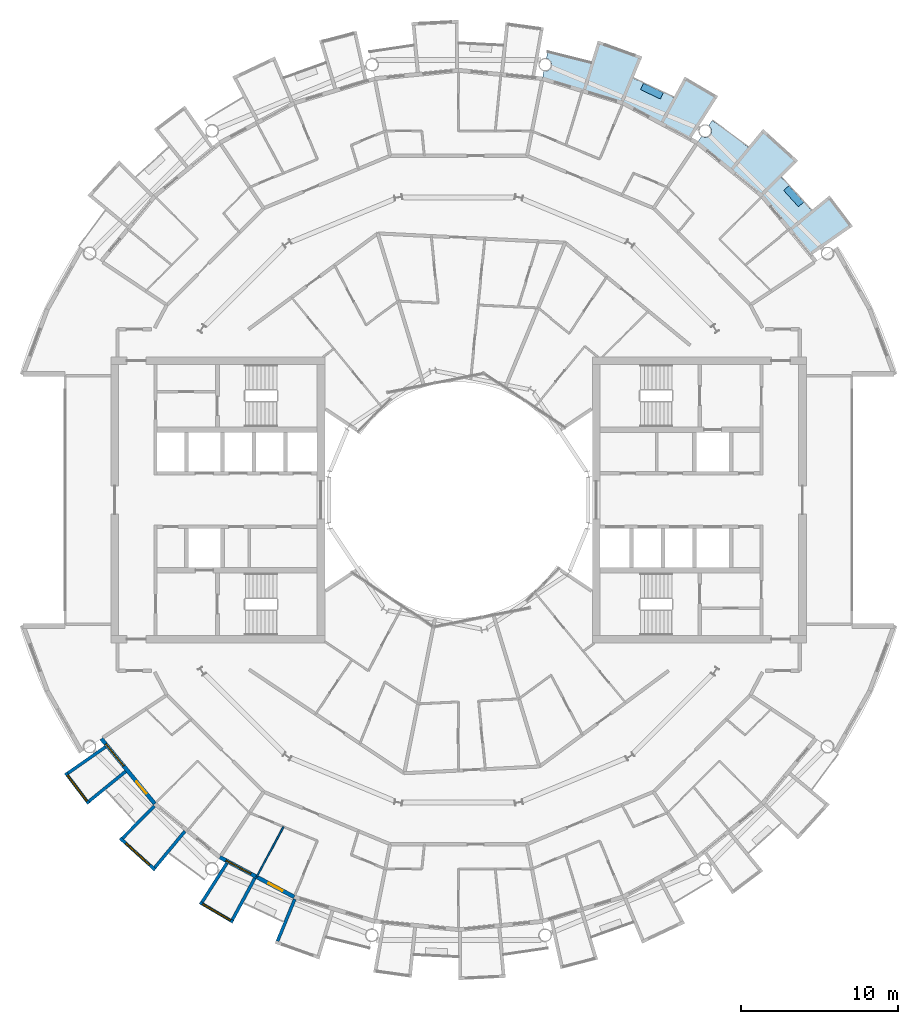
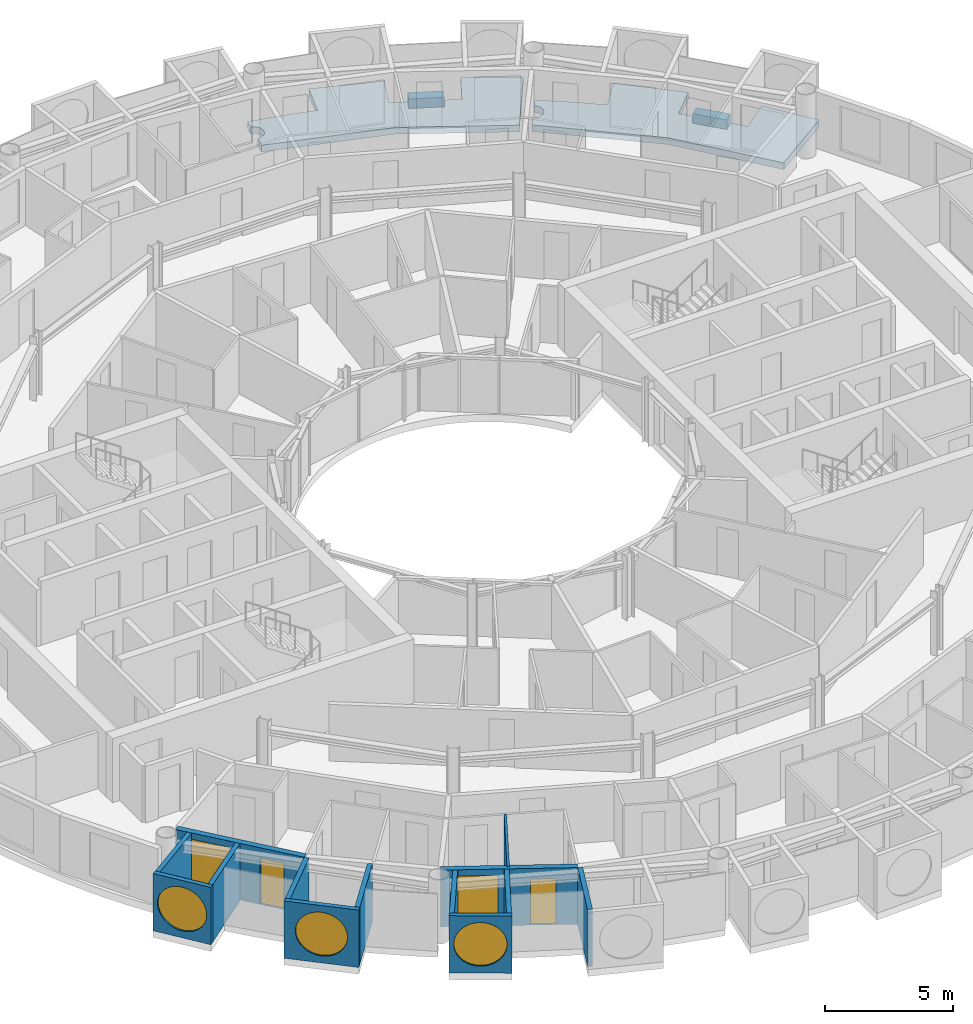
# One storey, part 13 of 27: 13 walls, 5 windows, 4 slabs, 2 doors, 7 openings.
"""IFC4 building model written with IfcOpenShell, lengths in metres."""

import ifcopenshell
import ifcopenshell.guid

model = None  # the IFC model being written
_history = None  # IfcOwnerHistory: only IFC2X3 demands one
_inside = {}  # id of a spatial element -> (the spatial element, [elements in it])
_under = {}  # id of a project, library or spatial element -> (it, [spatial elements below it])
_declared = {}  # id of a project -> (the project, [libraries it declares])
_typed = {}  # id of a type object -> (the type object, [elements of that type])
_made_of = {}  # id of a material, layer set ... -> (it, [elements and type objects made of it])


def new_model(schema):
    """Start an empty IFC model of exactly this schema.

    Asked for "IFC4X3", IfcOpenShell would pick the latest addendum, in which some entities
    have other attributes; the version numbers below select the first issue.
    IFC2X3 requires an IfcOwnerHistory on every rooted entity: one is made here for all.
    """
    global model, _history
    if schema == "IFC4X3":
        model = ifcopenshell.file(schema_version=(4, 3, 0, 0))
    else:
        model = ifcopenshell.file(schema=schema)
    _inside.clear()
    _under.clear()
    _declared.clear()
    _typed.clear()
    _made_of.clear()
    _history = None
    if model.schema == "IFC2X3":
        org = make("IfcOrganization", Name="unknown")
        user = make(
            "IfcPersonAndOrganization",
            ThePerson=make("IfcPerson", FamilyName="unknown"),
            TheOrganization=org,
        )
        app = make(
            "IfcApplication",
            ApplicationDeveloper=org,
            Version="unknown",
            ApplicationFullName="unknown",
            ApplicationIdentifier="unknown",
        )
        _history = make(
            "IfcOwnerHistory",
            OwningUser=user,
            OwningApplication=app,
            ChangeAction="ADDED",
            CreationDate=0,
        )
    return model


def make(cls, **values):
    """One entity of the class cls with the attributes given. An attribute that is None is left unset."""
    return model.create_entity(
        cls, **{name: value for name, value in values.items() if value is not None}
    )


def rooted(cls, **values):
    """An entity with a GlobalId (a new one), such as an element, a storey or a relation."""
    return make(cls, GlobalId=ifcopenshell.guid.new(), OwnerHistory=_history, **values)


def si_unit(unit_type, name, prefix=None):
    """IfcSIUnit, for example si_unit("LENGTHUNIT", "METRE", prefix="MILLI")."""
    return make("IfcSIUnit", UnitType=unit_type, Prefix=prefix, Name=name)


def assignment(units):
    """IfcUnitAssignment: the units of a project."""
    return None if units is None else make("IfcUnitAssignment", Units=units)


def point(xyz):
    """IfcCartesianPoint."""
    return None if xyz is None else make("IfcCartesianPoint", Coordinates=xyz)


def direction(xyz):
    """IfcDirection."""
    return None if xyz is None else make("IfcDirection", DirectionRatios=xyz)


def frame(location, z_axis=None, x_axis=None):
    """IfcAxis2Placement3D, a coordinate frame: its origin and axes. An axis left out is left unset."""
    return make(
        "IfcAxis2Placement3D",
        Location=point(location),
        Axis=direction(z_axis),
        RefDirection=direction(x_axis),
    )


def frame_2d(location, x_axis=None):
    """IfcAxis2Placement2D, a coordinate frame in the plane: its origin and x axis."""
    return make(
        "IfcAxis2Placement2D", Location=point(location), RefDirection=direction(x_axis)
    )


def origin():
    """The frame at (0, 0, 0) with its axes left unset."""
    return frame((0.0, 0.0, 0.0))


def place(relative_to, where):
    """IfcLocalPlacement: puts the frame where relative to a parent placement (None: the world)."""
    return make(
        "IfcLocalPlacement", PlacementRelTo=relative_to, RelativePlacement=where
    )


def context(
    kind, dimensions, precision=None, world=None, true_north=None, identifier=None
):
    """IfcGeometricRepresentationContext, for example the 3D "Model" context."""
    return make(
        "IfcGeometricRepresentationContext",
        ContextIdentifier=identifier,
        ContextType=kind,
        CoordinateSpaceDimension=dimensions,
        Precision=precision,
        WorldCoordinateSystem=world,
        TrueNorth=true_north,
    )


def subcontext(parent, identifier, kind, view, scale=None):
    """IfcGeometricRepresentationSubContext, for example "Body" below "Model"."""
    return make(
        "IfcGeometricRepresentationSubContext",
        ContextIdentifier=identifier,
        ContextType=kind,
        ParentContext=parent,
        TargetScale=scale,
        TargetView=view,
    )


def project(units=None, contexts=None):
    """IfcProject with its units and contexts."""
    return rooted(
        "IfcProject",
        Name="project",
        RepresentationContexts=contexts,
        UnitsInContext=assignment(units),
    )


def spatial(cls, under=None, at=None, **own):
    """A site, building, storey or space (cls), placed at a placement, below another one or the project."""
    s = rooted(cls, ObjectPlacement=at, **own)
    if under is not None:
        _under.setdefault(under.id(), (under, []))[1].append(s)
    return s


def polyline(points):
    """IfcPolyline through the points."""
    return make("IfcPolyline", Points=[point(p) for p in points])


def profile(cls, at=None, kind="AREA", **sizes):
    """A parametric profile (cls). Its sizes go by their IFC names, for example OverallWidth=200.0."""
    return make(cls, ProfileType=kind, Position=at, **sizes)


def rectangle(**sizes):
    """IfcRectangleProfileDef."""
    return profile("IfcRectangleProfileDef", **sizes)


def circle(**sizes):
    """IfcCircleProfileDef."""
    return profile("IfcCircleProfileDef", **sizes)


def outline(outer, holes=None, kind="AREA"):
    """IfcArbitraryClosedProfileDef: a profile drawn as a closed curve; with holes, ...WithVoids."""
    if holes is None:
        return make("IfcArbitraryClosedProfileDef", ProfileType=kind, OuterCurve=outer)
    return make(
        "IfcArbitraryProfileDefWithVoids",
        ProfileType=kind,
        OuterCurve=outer,
        InnerCurves=holes,
    )


def extrude(swept, where, along, depth):
    """IfcExtrudedAreaSolid: the profile swept, set in the frame where, extruded along a direction by depth."""
    return make(
        "IfcExtrudedAreaSolid",
        SweptArea=swept,
        Position=where,
        ExtrudedDirection=direction(along),
        Depth=depth,
    )


def shape(context_of_items, identifier, shape_type, items):
    """IfcShapeRepresentation: the items that make up one representation, for example the "Body"."""
    return make(
        "IfcShapeRepresentation",
        ContextOfItems=context_of_items,
        RepresentationIdentifier=identifier,
        RepresentationType=shape_type,
        Items=items,
    )


def material(Name=None, Category=None):
    """IfcMaterial."""
    return make("IfcMaterial", Name=Name, Category=Category)


def layer(
    of_material, thickness, ventilated=None, Name=None, Category=None, Priority=None
):
    """IfcMaterialLayer: one layer of a wall or slab, of a material (None: an air gap)."""
    return make(
        "IfcMaterialLayer",
        Material=of_material,
        LayerThickness=thickness,
        IsVentilated=ventilated,
        Name=Name,
        Category=Category,
        Priority=Priority,
    )


def layer_set(layers, Name=None):
    """IfcMaterialLayerSet."""
    return make("IfcMaterialLayerSet", MaterialLayers=layers, LayerSetName=Name)


def made_of(thing, what):
    """Note that an element or type object is made of a material, layer set ...; save() writes the relation."""
    if what is not None:
        _made_of.setdefault(what.id(), (what, []))[1].append(thing)
    return thing


def type_object(cls, material=None, **own):
    """A type object (cls), such as IfcWallType, which elements share."""
    return made_of(rooted(cls, **own), material)


def element(
    cls,
    number,
    at=None,
    inside=None,
    cuts=None,
    type_object=None,
    material=None,
    context=None,
    identifier="Body",
    shape_type=None,
    held_by="IfcProductDefinitionShape",
    body=None,
    shapes=None,
    **own,
):
    """One element of the class cls, such as IfcWall. Its Tag is "e" and its number.

    at: its placement. inside: the storey or other place that contains it. cuts: it is an
    opening in that element (IfcRelVoidsElement). A single representation is given by context,
    identifier, shape_type and body (its items); several are given by shapes. held_by: the class
    of the entity that holds the representations. save() writes the other relations.
    """
    e = rooted(cls, Tag="e%d" % number, ObjectPlacement=at, **own)
    if body is not None:
        shapes = [shape(context, identifier, shape_type, body)]
    if shapes is not None:
        e.Representation = make(held_by, Representations=shapes)
    if inside is not None:
        _inside.setdefault(inside.id(), (inside, []))[1].append(e)
    if cuts is not None:
        rooted(
            "IfcRelVoidsElement", RelatingBuildingElement=cuts, RelatedOpeningElement=e
        )
    if type_object is not None:
        _typed.setdefault(type_object.id(), (type_object, []))[1].append(e)
    return made_of(e, material)


def fill(opening, filler):
    """IfcRelFillsElement: the door or window that sits in an opening."""
    return rooted(
        "IfcRelFillsElement",
        RelatingOpeningElement=opening,
        RelatedBuildingElement=filler,
    )


def aggregate(whole, parts):
    """IfcRelAggregates: a whole, such as a stair, and the parts it consists of."""
    return rooted("IfcRelAggregates", RelatingObject=whole, RelatedObjects=parts)


def save(model, path):
    """Write the relations noted so far, then the file.

    IfcRelAggregates (storeys below a building ...), IfcRelContainedInSpatialStructure (elements
    in a storey), IfcRelDefinesByType, IfcRelAssociatesMaterial and IfcRelDeclares: one each for
    every whole, place, type object, material and project.
    """
    for whole, parts in _under.values():
        aggregate(whole, parts)
    for where, things in _inside.values():
        rooted(
            "IfcRelContainedInSpatialStructure",
            RelatedElements=things,
            RelatingStructure=where,
        )
    for kind, things in _typed.values():
        rooted("IfcRelDefinesByType", RelatedObjects=things, RelatingType=kind)
    for what, things in _made_of.values():
        rooted("IfcRelAssociatesMaterial", RelatedObjects=things, RelatingMaterial=what)
    for by, libraries in _declared.values():
        rooted("IfcRelDeclares", RelatingContext=by, RelatedDefinitions=libraries)
    model.write(path)


model = new_model("IFC4")

# Units and contexts
model_context = context("Model", 3, precision=1e-05, world=origin(), true_north=direction((0.0, 1.0)))
body_context = subcontext(model_context, "Body", "Model", "MODEL_VIEW")
ifc_project = project(units=[si_unit("LENGTHUNIT", "METRE"), si_unit("AREAUNIT", "SQUARE_METRE"), si_unit("VOLUMEUNIT", "CUBIC_METRE"), si_unit("PLANEANGLEUNIT", "RADIAN"), si_unit("MASSUNIT", "GRAM", prefix="KILO")], contexts=[model_context])

# Site, building, storey
site_placement = place(None, origin())
site = spatial("IfcSite", under=ifc_project, at=site_placement, CompositionType="ELEMENT")
building_placement = place(site_placement, origin())
building = spatial("IfcBuilding", under=site, at=building_placement, Name="Maasbend Ring Residences", CompositionType="ELEMENT")
storey_placement = place(building_placement, frame((0.0, 0.0, 167.699951171875)))
storey = spatial("IfcBuildingStorey", under=building, at=storey_placement, Name="L48", CompositionType="ELEMENT", Elevation=167.699951171875)

# Slabs
ifc_material_1 = material(Name="Planting with climbing greenery")
ifc_layer_1 = layer(ifc_material_1, 0.449951171875)
ifc_layer_set_1 = layer_set([ifc_layer_1], Name="PLANTER-LG")
slab_type_1 = type_object("IfcSlabType", Name="PLANTER-LG", PredefinedType="USERDEFINED", material=ifc_layer_set_1)
slab_1_placement = place(storey_placement, frame((0.0, 0.0, -0.030029296875)))
element("IfcSlab", 1, at=slab_1_placement, inside=storey, type_object=slab_type_1, Name="Planter with climbing greenery 1", ObjectType="PLANTER", PredefinedType="USERDEFINED", context=body_context, shape_type="SweptSolid", body=[
    extrude(outline(polyline([(21.931884765625, 18.93310546875), (20.991943359375, 19.969970703125), (20.657958984375, 19.66796875), (21.597900390625, 18.631103515625), (21.931884765625, 18.93310546875)])), origin(), (0.0, 0.0, 1.0), 0.4501953125),
])
slab_2_placement = place(storey_placement, frame((0.0, 0.0, -0.030029296875)))
element("IfcSlab", 2, at=slab_2_placement, inside=storey, type_object=slab_type_1, Name="Planter with climbing greenery 2", ObjectType="PLANTER", PredefinedType="USERDEFINED", context=body_context, shape_type="SweptSolid", body=[
    extrude(outline(polyline([(13.01708984375, 25.885009765625), (11.7509765625, 26.48291015625), (11.55908203125, 26.076904296875), (12.824951171875, 25.47802734375), (13.01708984375, 25.885009765625)])), origin(), (0.0, 0.0, 1.0), 0.4501953125),
])
ifc_material_2 = material(Name="Concrete C40/50", Category="concrete")
ifc_layer_2 = layer(ifc_material_2, 0.199951171875)
ifc_layer_set_2 = layer_set([ifc_layer_2], Name="Concrete C40/50")
slab_type_2 = type_object("IfcSlabType", Name="SL-LOGGIA", PredefinedType="FLOOR", material=ifc_layer_set_2)
slab_3_placement = place(storey_placement, frame((0.0, 0.0, -0.349853515625)))
element("IfcSlab", 3, at=slab_3_placement, inside=storey, type_object=slab_type_2, Name="Loggia floor 2", PredefinedType="FLOOR", context=body_context, shape_type="SweptSolid", body=[
    extrude(outline(polyline([(5.451904296875, 27.2548828125), (5.4619140625, 27.25390625), (5.471923828125, 27.2529296875), (5.48193359375, 27.251953125), (5.491943359375, 27.251953125), (5.501953125, 27.251953125), (5.510986328125, 27.251953125), (5.52099609375, 27.251953125), (5.531005859375, 27.2529296875), (5.541015625, 27.25390625), (5.551025390625, 27.2548828125), (5.56103515625, 27.256103515625), (5.571044921875, 27.258056640625), (5.5810546875, 27.259033203125), (5.591064453125, 27.260986328125), (5.60009765625, 27.263916015625), (5.610107421875, 27.26611328125), (5.6201171875, 27.26904296875), (5.62890625, 27.27197265625), (5.637939453125, 27.27490234375), (5.64794921875, 27.279052734375), (5.656982421875, 27.282958984375), (5.666015625, 27.285888671875), (5.675048828125, 27.291015625), (5.68408203125, 27.294921875), (5.693115234375, 27.300048828125), (5.701904296875, 27.303955078125), (5.7099609375, 27.30908203125), (5.718994140625, 27.31494140625), (5.72705078125, 27.320068359375), (5.736083984375, 27.325927734375), (5.743896484375, 27.33203125), (5.751953125, 27.337890625), (5.759033203125, 27.343994140625), (5.76708984375, 27.35009765625), (5.77392578125, 27.35693359375), (5.781982421875, 27.364013671875), (5.7890625, 27.37109375), (5.7958984375, 27.3779296875), (5.802978515625, 27.385009765625), (5.80908203125, 27.39306640625), (5.81591796875, 27.39990234375), (5.822021484375, 27.407958984375), (5.827880859375, 27.416015625), (5.833984375, 27.424072265625), (5.839111328125, 27.431884765625), (5.844970703125, 27.44091796875), (5.85009765625, 27.448974609375), (5.85498046875, 27.4580078125), (5.860107421875, 27.466064453125), (5.864990234375, 27.47509765625), (5.868896484375, 27.48388671875), (5.873046875, 27.492919921875), (5.876953125, 27.5029296875), (5.881103515625, 27.511962890625), (5.884033203125, 27.52099609375), (5.886962890625, 27.531005859375), (5.889892578125, 27.5400390625), (5.89306640625, 27.550048828125), (5.89599609375, 27.55908203125), (5.89794921875, 27.569091796875), (5.89990234375, 27.5791015625), (5.902099609375, 27.589111328125), (5.904052734375, 27.597900390625), (5.905029296875, 27.60791015625), (5.906005859375, 27.617919921875), (5.906982421875, 27.6279296875), (5.907958984375, 27.637939453125), (5.907958984375, 27.64794921875), (5.907958984375, 27.657958984375), (5.907958984375, 27.66796875), (5.907958984375, 27.677978515625), (5.906982421875, 27.68798828125), (5.906005859375, 27.697998046875), (5.905029296875, 27.7080078125), (5.904052734375, 27.718017578125), (5.902099609375, 27.72802734375), (5.89990234375, 27.737060546875), (5.89794921875, 27.7470703125), (5.89599609375, 27.757080078125), (5.89306640625, 27.76708984375), (5.889892578125, 27.77587890625), (5.886962890625, 27.785888671875), (5.884033203125, 27.794921875), (5.881103515625, 27.803955078125), (5.876953125, 27.81396484375), (5.873046875, 27.822998046875), (5.868896484375, 27.83203125), (5.864990234375, 27.841064453125), (5.860107421875, 27.85009765625), (5.85498046875, 27.85791015625), (5.85009765625, 27.866943359375), (5.844970703125, 27.8759765625), (5.839111328125, 27.884033203125), (5.833984375, 27.89208984375), (5.827880859375, 27.89990234375), (5.822021484375, 27.907958984375), (5.81591796875, 27.916015625), (5.80908203125, 27.924072265625), (5.802978515625, 27.930908203125), (5.7958984375, 27.93798828125), (5.7890625, 27.946044921875), (5.781982421875, 27.952880859375), (5.77392578125, 27.958984375), (5.76708984375, 27.966064453125), (5.759033203125, 27.971923828125), (5.751953125, 27.97900390625), (5.743896484375, 27.985107421875), (5.736083984375, 27.989990234375), (5.72705078125, 27.99609375), (5.718994140625, 28.001953125), (5.7099609375, 28.007080078125), (5.701904296875, 28.011962890625), (5.693115234375, 28.01708984375), (5.68408203125, 28.02099609375), (5.675048828125, 28.02587890625), (5.666015625, 28.030029296875), (5.656982421875, 28.033935546875), (5.64794921875, 28.037109375), (5.637939453125, 28.041015625), (5.62890625, 28.0439453125), (5.6201171875, 28.047119140625), (5.610107421875, 28.050048828125), (5.60009765625, 28.052001953125), (5.591064453125, 28.054931640625), (5.5810546875, 28.056884765625), (5.657958984375, 28.443115234375), (5.657958984375, 28.443115234375), (5.657958984375, 28.443115234375), (6.5849609375, 28.241943359375), (6.5849609375, 28.241943359375), (7.506103515625, 28.011962890625), (7.506103515625, 28.011962890625), (8.41796875, 27.7509765625), (8.41796875, 27.7509765625), (8.41796875, 27.7509765625), (8.41796875, 27.7509765625), (8.41796875, 27.7509765625), (8.41796875, 27.7509765625), (8.41796875, 27.7509765625), (8.41796875, 27.7509765625), (8.41796875, 27.7509765625), (8.41796875, 27.7509765625), (8.41796875, 27.751953125), (8.41796875, 27.751953125), (8.41796875, 27.751953125), (8.41796875, 27.751953125), (8.41796875, 27.751953125), (8.41796875, 27.751953125), (8.41796875, 27.751953125), (8.85400390625, 29.18701171875), (8.85400390625, 29.18701171875), (8.85400390625, 29.18701171875), (11.672119140625, 28.177978515625), (11.672119140625, 28.177978515625), (11.672119140625, 28.177978515625), (11.097900390625, 26.79296875), (11.097900390625, 26.79296875), (11.097900390625, 26.79296875), (11.097900390625, 26.79296875), (11.097900390625, 26.79296875), (11.097900390625, 26.79296875), (11.097900390625, 26.79296875), (11.097900390625, 26.79296875), (11.097900390625, 26.79296875), (11.097900390625, 26.79296875), (11.097900390625, 26.7919921875), (11.097900390625, 26.7919921875), (11.097900390625, 26.7919921875), (11.097900390625, 26.7919921875), (11.097900390625, 26.7919921875), (11.097900390625, 26.7919921875), (11.097900390625, 26.7919921875), (11.968994140625, 26.4150390625), (11.968994140625, 26.4150390625), (12.825927734375, 26.009033203125), (12.825927734375, 26.009033203125), (13.669921875, 25.575927734375), (13.669921875, 25.575927734375), (13.669921875, 25.575927734375), (13.669921875, 25.575927734375), (13.669921875, 25.575927734375), (13.669921875, 25.575927734375), (13.669921875, 25.575927734375), (13.669921875, 25.575927734375), (13.669921875, 25.575927734375), (13.669921875, 25.575927734375), (13.6708984375, 25.575927734375), (13.6708984375, 25.575927734375), (13.6708984375, 25.575927734375), (13.6708984375, 25.575927734375), (13.6708984375, 25.575927734375), (13.6708984375, 25.575927734375), (13.6708984375, 25.575927734375), (14.3779296875, 26.89892578125), (14.3779296875, 26.89892578125), (14.3779296875, 26.89892578125), (16.487060546875, 25.659912109375), (16.487060546875, 25.659912109375), (16.487060546875, 25.659912109375), (14.73291015625, 22.930908203125), (14.73291015625, 22.930908203125), (14.73291015625, 22.930908203125), (12.806884765625, 23.9609375), (10.447021484375, 25.221923828125), (10.447021484375, 25.221923828125), (10.447021484375, 25.221923828125), (7.886962890625, 25.9990234375), (5.325927734375, 26.77490234375), (5.325927734375, 26.77490234375), (5.325927734375, 26.77490234375), (5.422119140625, 27.259033203125), (5.431884765625, 27.258056640625), (5.44189453125, 27.256103515625), (5.451904296875, 27.2548828125)])), origin(), (0.0, 0.0, 1.0), 0.31982421875),
])
slab_4_placement = place(storey_placement, frame((0.0, 0.0, -0.349853515625)))
element("IfcSlab", 4, at=slab_4_placement, inside=storey, type_object=slab_type_2, Name="Loggia floor 5", PredefinedType="FLOOR", context=body_context, shape_type="SweptSolid", body=[
    extrude(outline(polyline([(15.4580078125, 23.09912109375), (15.467041015625, 23.093994140625), (15.47509765625, 23.089111328125), (15.48388671875, 23.083984375), (15.492919921875, 23.080078125), (15.501953125, 23.075927734375), (15.511962890625, 23.072021484375), (15.52099609375, 23.068115234375), (15.530029296875, 23.06494140625), (15.5400390625, 23.06103515625), (15.549072265625, 23.05810546875), (15.55908203125, 23.055908203125), (15.568115234375, 23.052978515625), (15.577880859375, 23.051025390625), (15.587890625, 23.049072265625), (15.597900390625, 23.047119140625), (15.60693359375, 23.044921875), (15.616943359375, 23.0439453125), (15.626953125, 23.04296875), (15.636962890625, 23.0419921875), (15.64697265625, 23.041015625), (15.656982421875, 23.041015625), (15.6669921875, 23.041015625), (15.677001953125, 23.041015625), (15.68701171875, 23.041015625), (15.697021484375, 23.0419921875), (15.70703125, 23.04296875), (15.717041015625, 23.0439453125), (15.72705078125, 23.044921875), (15.737060546875, 23.047119140625), (15.74609375, 23.049072265625), (15.756103515625, 23.051025390625), (15.76611328125, 23.052978515625), (15.77587890625, 23.055908203125), (15.784912109375, 23.05810546875), (15.794921875, 23.06103515625), (15.803955078125, 23.06494140625), (15.81298828125, 23.068115234375), (15.822998046875, 23.072021484375), (15.83203125, 23.075927734375), (15.841064453125, 23.080078125), (15.85009765625, 23.083984375), (15.85888671875, 23.089111328125), (15.866943359375, 23.093994140625), (15.8759765625, 23.09912109375), (15.885009765625, 23.10400390625), (15.89306640625, 23.10888671875), (15.90087890625, 23.114990234375), (15.908935546875, 23.12109375), (15.9169921875, 23.126953125), (15.925048828125, 23.133056640625), (15.93310546875, 23.139892578125), (15.93994140625, 23.14599609375), (15.947021484375, 23.153076171875), (15.955078125, 23.159912109375), (15.9619140625, 23.1669921875), (15.968017578125, 23.174072265625), (15.97509765625, 23.181884765625), (15.98095703125, 23.18994140625), (15.988037109375, 23.197021484375), (15.993896484375, 23.205078125), (15.9990234375, 23.212890625), (16.0048828125, 23.221923828125), (16.010986328125, 23.22998046875), (16.01611328125, 23.238037109375), (16.02099609375, 23.2470703125), (16.02587890625, 23.256103515625), (16.030029296875, 23.264892578125), (16.034912109375, 23.27392578125), (16.0390625, 23.282958984375), (16.04296875, 23.2919921875), (16.0458984375, 23.301025390625), (16.050048828125, 23.31005859375), (16.052978515625, 23.320068359375), (16.055908203125, 23.3291015625), (16.05908203125, 23.339111328125), (16.06103515625, 23.34912109375), (16.06396484375, 23.35791015625), (16.06591796875, 23.367919921875), (16.068115234375, 23.3779296875), (16.069091796875, 23.387939453125), (16.071044921875, 23.39794921875), (16.072021484375, 23.407958984375), (16.072021484375, 23.4169921875), (16.072998046875, 23.427001953125), (16.072998046875, 23.43701171875), (16.073974609375, 23.447021484375), (16.072998046875, 23.45703125), (16.072998046875, 23.467041015625), (16.072021484375, 23.47705078125), (16.072021484375, 23.487060546875), (16.071044921875, 23.4970703125), (16.069091796875, 23.507080078125), (16.068115234375, 23.51708984375), (16.06591796875, 23.527099609375), (16.06396484375, 23.535888671875), (16.06103515625, 23.5458984375), (16.05908203125, 23.555908203125), (16.055908203125, 23.56494140625), (16.052978515625, 23.574951171875), (16.050048828125, 23.583984375), (16.0458984375, 23.593994140625), (16.04296875, 23.60302734375), (16.0390625, 23.612060546875), (16.034912109375, 23.62109375), (16.030029296875, 23.6298828125), (16.02587890625, 23.638916015625), (16.02099609375, 23.64794921875), (16.01611328125, 23.656005859375), (16.010986328125, 23.6650390625), (16.0048828125, 23.673095703125), (15.9990234375, 23.680908203125), (15.993896484375, 23.68994140625), (15.988037109375, 23.697021484375), (15.98095703125, 23.705078125), (15.97509765625, 23.712890625), (15.968017578125, 23.719970703125), (15.9619140625, 23.72802734375), (15.955078125, 23.735107421875), (15.947021484375, 23.741943359375), (15.93994140625, 23.7490234375), (15.93310546875, 23.7548828125), (15.925048828125, 23.761962890625), (15.9169921875, 23.76806640625), (15.908935546875, 23.77392578125), (15.90087890625, 23.780029296875), (15.89306640625, 23.784912109375), (15.89306640625, 23.784912109375), (16.112060546875, 24.113037109375), (16.112060546875, 24.113037109375), (16.112060546875, 24.113037109375), (16.89208984375, 23.572998046875), (16.89208984375, 23.572998046875), (17.654052734375, 23.007080078125), (17.654052734375, 23.007080078125), (18.39697265625, 22.41796875), (18.39697265625, 22.41796875), (18.39697265625, 22.41796875), (18.39697265625, 22.41796875), (18.39697265625, 22.41796875), (18.39697265625, 22.41796875), (18.39697265625, 22.41796875), (18.39697265625, 22.41796875), (18.39697265625, 22.41796875), (18.39697265625, 22.41796875), (18.39697265625, 22.41796875), (18.39794921875, 22.41796875), (18.39794921875, 22.41796875), (18.39794921875, 22.41796875), (18.39794921875, 22.41796875), (18.39794921875, 22.41796875), (18.39794921875, 22.41796875), (19.34912109375, 23.576904296875), (19.34912109375, 23.576904296875), (19.34912109375, 23.576904296875), (21.56689453125, 21.56689453125), (21.56689453125, 21.56689453125), (21.56689453125, 21.56689453125), (20.506103515625, 20.506103515625), (20.506103515625, 20.506103515625), (20.506103515625, 20.506103515625), (20.506103515625, 20.506103515625), (20.506103515625, 20.506103515625), (20.506103515625, 20.506103515625), (20.506103515625, 20.506103515625), (20.506103515625, 20.506103515625), (20.506103515625, 20.506103515625), (20.506103515625, 20.506103515625), (20.506103515625, 20.506103515625), (20.506103515625, 20.506103515625), (20.506103515625, 20.506103515625), (20.506103515625, 20.506103515625), (20.506103515625, 20.506103515625), (20.506103515625, 20.506103515625), (20.506103515625, 20.506103515625), (21.166015625, 19.823974609375), (21.166015625, 19.823974609375), (21.802978515625, 19.12109375), (21.802978515625, 19.12109375), (22.4169921875, 18.39794921875), (22.4169921875, 18.39794921875), (22.4169921875, 18.39794921875), (22.4169921875, 18.39794921875), (22.4169921875, 18.39794921875), (22.4169921875, 18.39794921875), (22.4169921875, 18.39794921875), (22.4169921875, 18.39794921875), (22.4169921875, 18.39794921875), (22.4169921875, 18.39794921875), (22.4169921875, 18.39794921875), (22.4169921875, 18.39794921875), (22.41796875, 18.39794921875), (22.41796875, 18.39794921875), (22.41796875, 18.39794921875), (22.41796875, 18.39794921875), (22.41796875, 18.39794921875), (23.576904296875, 19.34912109375), (23.576904296875, 19.34912109375), (23.576904296875, 19.34912109375), (25.051025390625, 17.39794921875), (25.051025390625, 17.39794921875), (25.051025390625, 17.39794921875), (22.386962890625, 15.547119140625), (22.386962890625, 15.547119140625), (22.386962890625, 15.547119140625), (21.001953125, 17.236083984375), (19.303955078125, 19.303955078125), (19.303955078125, 19.303955078125), (19.303955078125, 19.303955078125), (17.236083984375, 21.001953125), (15.1669921875, 22.698974609375), (15.1669921875, 22.698974609375), (15.1669921875, 22.698974609375), (15.44091796875, 23.10888671875), (15.44091796875, 23.10888671875), (15.449951171875, 23.10400390625), (15.4580078125, 23.09912109375)])), origin(), (0.0, 0.0, 1.0), 0.31982421875),
])

# Wall, opening, window
ifc_material_3 = material(Name="Pale anodised aluminium panel", Category="aluminium")
ifc_layer_3 = layer(ifc_material_3, 0.199951171875)
ifc_layer_set_3 = layer_set([ifc_layer_3], Name="EW-BOX")
wall_type_1 = type_object("IfcWallType", Name="EW-BOX", PredefinedType="SOLIDWALL", material=ifc_layer_set_3)
wall_1_placement = place(storey_placement, frame((-24.971923828125, -17.3369140625, -0.030029296875), z_axis=(0.0, 0.0, 1.0), x_axis=(0.602806268067, -0.797887588059, 0.0)))
wall_1 = element("IfcWall", 5, at=wall_1_placement, inside=storey, type_object=wall_type_1, Name="Box front S01", PredefinedType="SOLIDWALL", context=body_context, shape_type="SweptSolid", body=[
    extrude(rectangle(XDim=2.446533203125, YDim=0.199951171875, at=frame_2d((1.22314453125, 0.0))), origin(), (0.0, 0.0, 1.0), 2.72998046875),
])
opening_1_placement = place(wall_1_placement, frame((0.182861328125, 0.0, 0.330078125)))
opening_1 = element("IfcOpeningElement", 6, at=opening_1_placement, cuts=wall_1, Name="Opening W-RD", PredefinedType="OPENING", context=body_context, shape_type="SweptSolid", body=[
    extrude(circle(Radius=1.0400390625, at=frame_2d((1.0400390625, 1.0400390625))), frame((0.0, 0.10986328125, 0.0), z_axis=(0.0, -1.0, 0.0), x_axis=(1.0, 0.0, 0.0)), (0.0, 0.0, 1.0), 0.219970703125),
])
ifc_material_4 = material(Name="Aluminium and clear glass", Category="aluminium")
window_type_1 = type_object("IfcWindowType", Name="W-RD", PartitioningType="SINGLE_PANEL", PredefinedType="WINDOW", material=ifc_material_4)
window_1_placement = place(opening_1_placement, origin())
window_1 = element("IfcWindow", 7, at=window_1_placement, inside=storey, type_object=window_type_1, Name="Round window S01", OverallHeight=2.080078125, OverallWidth=2.080078125, PartitioningType="SINGLE_PANEL", PredefinedType="WINDOW", context=body_context, shape_type="SweptSolid", body=[
    extrude(circle(Radius=1.0400390625, at=frame_2d((1.0400390625, 1.0400390625))), frame((0.0, 0.030029296875, 0.0), z_axis=(0.0, -1.0, 0.0), x_axis=(1.0, 0.0, 0.0)), (0.0, 0.0, 1.0), 0.06005859375),
])
fill(opening_1, window_1)

# Walls
wall_2_placement = place(storey_placement, frame((-22.43310546875, -15.68798828125, -0.030029296875), z_axis=(0.0, 0.0, 1.0), x_axis=(-0.819373043115, -0.573260687834, 0.0)))
element("IfcWall", 8, at=wall_2_placement, inside=storey, type_object=wall_type_1, Name="Box side wall S01 left", PredefinedType="SOLIDWALL", context=body_context, shape_type="SweptSolid", body=[
    extrude(rectangle(XDim=2.92529296875, YDim=0.199951171875, at=frame_2d((1.462646484375, 0.0))), origin(), (0.0, 0.0, 1.0), 2.72998046875),
])
wall_3_placement = place(storey_placement, frame((-21.155029296875, -17.24609375, -0.030029296875), z_axis=(0.0, 0.0, 1.0), x_axis=(-0.775179004516, -0.631741648902, 0.0)))
element("IfcWall", 9, at=wall_3_placement, inside=storey, type_object=wall_type_1, Name="Box side wall S01 right", PredefinedType="SOLIDWALL", context=body_context, shape_type="SweptSolid", body=[
    extrude(rectangle(XDim=3.005859375, YDim=0.199951171875, at=frame_2d((1.5029296875, 0.0))), origin(), (0.0, 0.0, 1.0), 2.72998046875),
])

# Wall, opening, window
wall_4_placement = place(storey_placement, frame((-21.5, -21.492919921875, -0.030029296875), z_axis=(0.0, 0.0, 1.0), x_axis=(0.740998365753, -0.671506829416, 0.0)))
wall_4 = element("IfcWall", 10, at=wall_4_placement, inside=storey, type_object=wall_type_1, Name="Box front S03", PredefinedType="SOLIDWALL", context=body_context, shape_type="SweptSolid", body=[
    extrude(rectangle(XDim=2.9931640625, YDim=0.199951171875, at=frame_2d((1.49658203125, 0.0))), origin(), (0.0, 0.0, 1.0), 2.72998046875),
])
opening_2_placement = place(wall_4_placement, frame((0.45654296875, 0.0, 0.330078125)))
opening_2 = element("IfcOpeningElement", 11, at=opening_2_placement, cuts=wall_4, Name="Opening W-RD", PredefinedType="OPENING", context=body_context, shape_type="SweptSolid", body=[
    extrude(circle(Radius=1.0400390625, at=frame_2d((1.0400390625, 1.0400390625))), frame((0.0, 0.10986328125, 0.0), z_axis=(0.0, -1.0, 0.0), x_axis=(1.0, 0.0, 0.0)), (0.0, 0.0, 1.0), 0.219970703125),
])
window_2_placement = place(opening_2_placement, origin())
window_2 = element("IfcWindow", 12, at=window_2_placement, inside=storey, type_object=window_type_1, Name="Round window S03", OverallHeight=2.080078125, OverallWidth=2.080078125, PartitioningType="SINGLE_PANEL", PredefinedType="WINDOW", context=body_context, shape_type="SweptSolid", body=[
    extrude(circle(Radius=1.0400390625, at=frame_2d((1.0400390625, 1.0400390625))), frame((0.0, 0.030029296875, 0.0), z_axis=(0.0, -1.0, 0.0), x_axis=(1.0, 0.0, 0.0)), (0.0, 0.0, 1.0), 0.06005859375),
])
fill(opening_2, window_2)

# Walls
wall_5_placement = place(storey_placement, frame((-19.322998046875, -19.449951171875, -0.030029296875), z_axis=(0.0, 0.0, 1.0), x_axis=(-0.704476739375, -0.709727076896, 0.0)))
element("IfcWall", 13, at=wall_5_placement, inside=storey, type_object=wall_type_1, Name="Box side wall S03 left", PredefinedType="SOLIDWALL", context=body_context, shape_type="SweptSolid", body=[
    extrude(rectangle(XDim=2.883056640625, YDim=0.199951171875, at=frame_2d((1.44140625, 0.0))), origin(), (0.0, 0.0, 1.0), 2.72998046875),
])
wall_6_placement = place(storey_placement, frame((-17.384033203125, -21.041015625, -0.030029296875), z_axis=(0.0, 0.0, 1.0), x_axis=(-0.63709551667, -0.770784861449, 0.0)))
element("IfcWall", 14, at=wall_6_placement, inside=storey, type_object=wall_type_1, Name="Box side wall S03 right", PredefinedType="SOLIDWALL", context=body_context, shape_type="SweptSolid", body=[
    extrude(rectangle(XDim=3.005859375, YDim=0.199951171875, at=frame_2d((1.5029296875, 0.0))), origin(), (0.0, 0.0, 1.0), 2.72998046875),
])

# Wall, opening, window
wall_7_placement = place(storey_placement, frame((-16.43603515625, -25.573974609375, -0.030029296875), z_axis=(0.0, 0.0, 1.0), x_axis=(0.862403467503, -0.506221551535, 0.0)))
wall_7 = element("IfcWall", 15, at=wall_7_placement, inside=storey, type_object=wall_type_1, Name="Box front S05", PredefinedType="SOLIDWALL", context=body_context, shape_type="SweptSolid", body=[
    extrude(rectangle(XDim=2.445556640625, YDim=0.199951171875, at=frame_2d((1.22265625, 0.0))), origin(), (0.0, 0.0, 1.0), 2.72998046875),
])
opening_3_placement = place(wall_7_placement, frame((0.182861328125, 0.0, 0.330078125)))
opening_3 = element("IfcOpeningElement", 16, at=opening_3_placement, cuts=wall_7, Name="Opening W-RD", PredefinedType="OPENING", context=body_context, shape_type="SweptSolid", body=[
    extrude(circle(Radius=1.0400390625, at=frame_2d((1.0400390625, 1.0400390625))), frame((0.0, 0.10986328125, 0.0), z_axis=(0.0, -1.0, 0.0), x_axis=(1.0, 0.0, 0.0)), (0.0, 0.0, 1.0), 0.219970703125),
])
window_3_placement = place(opening_3_placement, origin())
window_3 = element("IfcWindow", 17, at=window_3_placement, inside=storey, type_object=window_type_1, Name="Round window S05", OverallHeight=2.080078125, OverallWidth=2.080078125, PartitioningType="SINGLE_PANEL", PredefinedType="WINDOW", context=body_context, shape_type="SweptSolid", body=[
    extrude(circle(Radius=1.0400390625, at=frame_2d((1.0400390625, 1.0400390625))), frame((0.0, 0.030029296875, 0.0), z_axis=(0.0, -1.0, 0.0), x_axis=(1.0, 0.0, 0.0)), (0.0, 0.0, 1.0), 0.06005859375),
])
fill(opening_3, window_3)

# Walls
wall_8_placement = place(storey_placement, frame((-14.721923828125, -23.0791015625, -0.030029296875), z_axis=(0.0, 0.0, 1.0), x_axis=(-0.537572179146, -0.843217737129, 0.0)))
element("IfcWall", 18, at=wall_8_placement, inside=storey, type_object=wall_type_1, Name="Box side wall S05 left", PredefinedType="SOLIDWALL", context=body_context, shape_type="SweptSolid", body=[
    extrude(rectangle(XDim=2.92431640625, YDim=0.199951171875, at=frame_2d((1.462158203125, 0.0))), origin(), (0.0, 0.0, 1.0), 2.72998046875),
])
wall_9_placement = place(storey_placement, frame((-12.945068359375, -24.029052734375, -0.030029296875), z_axis=(0.0, 0.0, 1.0), x_axis=(-0.474424310775, -0.88029629861, 0.0)))
element("IfcWall", 19, at=wall_9_placement, inside=storey, type_object=wall_type_1, Name="Box side wall S05 right", PredefinedType="SOLIDWALL", context=body_context, shape_type="SweptSolid", body=[
    extrude(rectangle(XDim=3.005859375, YDim=0.199951171875, at=frame_2d((1.5029296875, 0.0))), origin(), (0.0, 0.0, 1.0), 2.72998046875),
])
wall_10_placement = place(storey_placement, frame((-10.408935546875, -25.364013671875, -0.030029296875), z_axis=(0.0, 0.0, 1.0), x_axis=(-0.379509886562, -0.925187681501, 0.0)))
element("IfcWall", 20, at=wall_10_placement, inside=storey, type_object=wall_type_1, Name="Box side wall S07 left", PredefinedType="SOLIDWALL", context=body_context, shape_type="SweptSolid", body=[
    extrude(rectangle(XDim=2.882568359375, YDim=0.199951171875, at=frame_2d((1.44140625, 0.0))), origin(), (0.0, 0.0, 1.0), 2.72998046875),
])

# Wall, openings, door, window
ifc_material_5 = material(Name="Aluminium clad insulated panel", Category="aluminium")
ifc_layer_4 = layer(ifc_material_5, 0.25)
ifc_layer_set_4 = layer_set([ifc_layer_4], Name="EW-GL")
wall_type_2 = type_object("IfcWallType", Name="EW-GL", PredefinedType="SOLIDWALL", material=ifc_layer_set_4)
wall_11_placement = place(storey_placement, frame((-22.698974609375, -15.1669921875, 0.0), z_axis=(0.0, 0.0, 1.0), x_axis=(0.634382322723, -0.773019449054, 0.0)))
wall_11 = element("IfcWall", 21, at=wall_11_placement, inside=storey, type_object=wall_type_2, Name="External wall S01", PredefinedType="SOLIDWALL", context=body_context, shape_type="SweptSolid", body=[
    extrude(rectangle(XDim=5.351806640625, YDim=0.25, at=frame_2d((2.67578125, 0.0))), origin(), (0.0, 0.0, 1.0), 2.699951171875),
])
opening_4_placement = place(wall_11_placement, frame((0.441162109375, 0.0, 0.300048828125)))
opening_4 = element("IfcOpeningElement", 22, at=opening_4_placement, cuts=wall_11, Name="Opening W-BX", PredefinedType="OPENING", context=body_context, shape_type="SweptSolid", body=[
    extrude(rectangle(XDim=1.800048828125, YDim=2.10009765625, at=frame_2d((0.89990234375, 1.050048828125))), frame((0.0, 0.135009765625, 0.0), z_axis=(0.0, -1.0, 0.0), x_axis=(1.0, 0.0, 0.0)), (0.0, 0.0, 1.0), 0.27001953125),
])
opening_5_placement = place(wall_11_placement, frame((3.510498046875, 0.0, 0.0)))
opening_5 = element("IfcOpeningElement", 23, at=opening_5_placement, cuts=wall_11, Name="Opening D-LG", PredefinedType="OPENING", context=body_context, shape_type="SweptSolid", body=[
    extrude(rectangle(XDim=1.0, YDim=2.199951171875, at=frame_2d((0.5, 1.10009765625))), frame((0.0, 0.135009765625, 0.0), z_axis=(0.0, -1.0, 0.0), x_axis=(1.0, 0.0, 0.0)), (0.0, 0.0, 1.0), 0.27001953125),
])
ifc_material_6 = material(Name="Aluminium and clear glass", Category="aluminium")
door_type = type_object("IfcDoorType", Name="D-LG", OperationType="SINGLE_SWING_LEFT", PredefinedType="DOOR", material=ifc_material_6)
door_1_placement = place(opening_5_placement, origin())
door_1 = element("IfcDoor", 24, at=door_1_placement, inside=storey, type_object=door_type, Name="Loggia door S02", OperationType="SINGLE_SWING_LEFT", OverallHeight=2.199951171875, OverallWidth=1.0, PredefinedType="DOOR", context=body_context, shape_type="SweptSolid", body=[
    extrude(rectangle(XDim=1.0, YDim=2.199951171875, at=frame_2d((0.5, 1.10009765625))), frame((0.0, 0.02490234375, 0.0), z_axis=(0.0, -1.0, 0.0), x_axis=(1.0, 0.0, 0.0)), (0.0, 0.0, 1.0), 0.050048828125),
])
fill(opening_5, door_1)
ifc_material_7 = material(Name="Aluminium and clear glass", Category="aluminium")
window_type_2 = type_object("IfcWindowType", Name="W-BX", PartitioningType="DOUBLE_PANEL_VERTICAL", PredefinedType="WINDOW", material=ifc_material_7)
window_4_placement = place(opening_4_placement, origin())
window_4 = element("IfcWindow", 25, at=window_4_placement, inside=storey, type_object=window_type_2, Name="Window S01 room to box", OverallHeight=2.10009765625, OverallWidth=1.800048828125, PartitioningType="SINGLE_PANEL", PredefinedType="WINDOW", context=body_context, shape_type="SweptSolid", body=[
    extrude(rectangle(XDim=1.800048828125, YDim=2.10009765625, at=frame_2d((0.89990234375, 1.050048828125))), frame((0.0, 0.030029296875, 0.0), z_axis=(0.0, -1.0, 0.0), x_axis=(1.0, 0.0, 0.0)), (0.0, 0.0, 1.0), 0.06005859375),
])
fill(opening_4, window_4)

wall_12_placement = place(storey_placement, frame((-15.1669921875, -22.698974609375, 0.0), z_axis=(0.0, 0.0, 1.0), x_axis=(0.881915646801, -0.471407246368, 0.0)))
wall_12 = element("IfcWall", 26, at=wall_12_placement, inside=storey, type_object=wall_type_2, Name="External wall S03", PredefinedType="SOLIDWALL", context=body_context, shape_type="SweptSolid", body=[
    extrude(rectangle(XDim=5.35205078125, YDim=0.25, at=frame_2d((2.676025390625, 0.0))), origin(), (0.0, 0.0, 1.0), 2.699951171875),
])
opening_6_placement = place(wall_12_placement, frame((0.441162109375, 0.0, 0.300048828125)))
opening_6 = element("IfcOpeningElement", 27, at=opening_6_placement, cuts=wall_12, Name="Opening W-BX", PredefinedType="OPENING", context=body_context, shape_type="SweptSolid", body=[
    extrude(rectangle(XDim=1.800048828125, YDim=2.10009765625, at=frame_2d((0.89990234375, 1.050048828125))), frame((0.0, 0.135009765625, 0.0), z_axis=(0.0, -1.0, 0.0), x_axis=(1.0, 0.0, 0.0)), (0.0, 0.0, 1.0), 0.27001953125),
])
opening_7_placement = place(wall_12_placement, frame((3.510498046875, 0.0, 0.0)))
opening_7 = element("IfcOpeningElement", 28, at=opening_7_placement, cuts=wall_12, Name="Opening D-LG", PredefinedType="OPENING", context=body_context, shape_type="SweptSolid", body=[
    extrude(rectangle(XDim=1.0, YDim=2.199951171875, at=frame_2d((0.5, 1.10009765625))), frame((0.0, 0.135009765625, 0.0), z_axis=(0.0, -1.0, 0.0), x_axis=(1.0, 0.0, 0.0)), (0.0, 0.0, 1.0), 0.27001953125),
])
door_2_placement = place(opening_7_placement, origin())
door_2 = element("IfcDoor", 29, at=door_2_placement, inside=storey, type_object=door_type, Name="Loggia door S06", OperationType="SINGLE_SWING_LEFT", OverallHeight=2.199951171875, OverallWidth=1.0, PredefinedType="DOOR", context=body_context, shape_type="SweptSolid", body=[
    extrude(rectangle(XDim=1.0, YDim=2.199951171875, at=frame_2d((0.5, 1.10009765625))), frame((0.0, 0.02490234375, 0.0), z_axis=(0.0, -1.0, 0.0), x_axis=(1.0, 0.0, 0.0)), (0.0, 0.0, 1.0), 0.050048828125),
])
fill(opening_7, door_2)
window_5_placement = place(opening_6_placement, origin())
window_5 = element("IfcWindow", 30, at=window_5_placement, inside=storey, type_object=window_type_2, Name="Window S05 room to box", OverallHeight=2.10009765625, OverallWidth=1.800048828125, PartitioningType="SINGLE_PANEL", PredefinedType="WINDOW", context=body_context, shape_type="SweptSolid", body=[
    extrude(rectangle(XDim=1.800048828125, YDim=2.10009765625, at=frame_2d((0.89990234375, 1.050048828125))), frame((0.0, 0.030029296875, 0.0), z_axis=(0.0, -1.0, 0.0), x_axis=(1.0, 0.0, 0.0)), (0.0, 0.0, 1.0), 0.06005859375),
])
fill(opening_6, window_5)

# Wall
ifc_material_8 = material(Name="Gypsum board on steel studs", Category="steel")
ifc_layer_5 = layer(ifc_material_8, 0.10009765625)
ifc_layer_set_5 = layer_set([ifc_layer_5], Name="PARTITION 100 GYPSUM")
wall_type_3 = type_object("IfcWallType", Name="PARTITION 100 GYPSUM", PredefinedType="PARTITIONING", material=ifc_layer_set_5)
wall_13_placement = place(storey_placement, frame((-12.8330078125, -23.9541015625, 0.0), z_axis=(0.0, 0.0, 1.0), x_axis=(0.472212052488, 0.881484984265, 0.0)))
element("IfcWall", 31, at=wall_13_placement, inside=storey, type_object=wall_type_3, Name="U-L48-w045", PredefinedType="PARTITIONING", context=body_context, shape_type="SweptSolid", body=[
    extrude(rectangle(XDim=3.619140625, YDim=0.10009765625, at=frame_2d((1.8095703125, 0.0))), origin(), (0.0, 0.0, 1.0), 2.699951171875),
])

save(model, "model.ifc")
